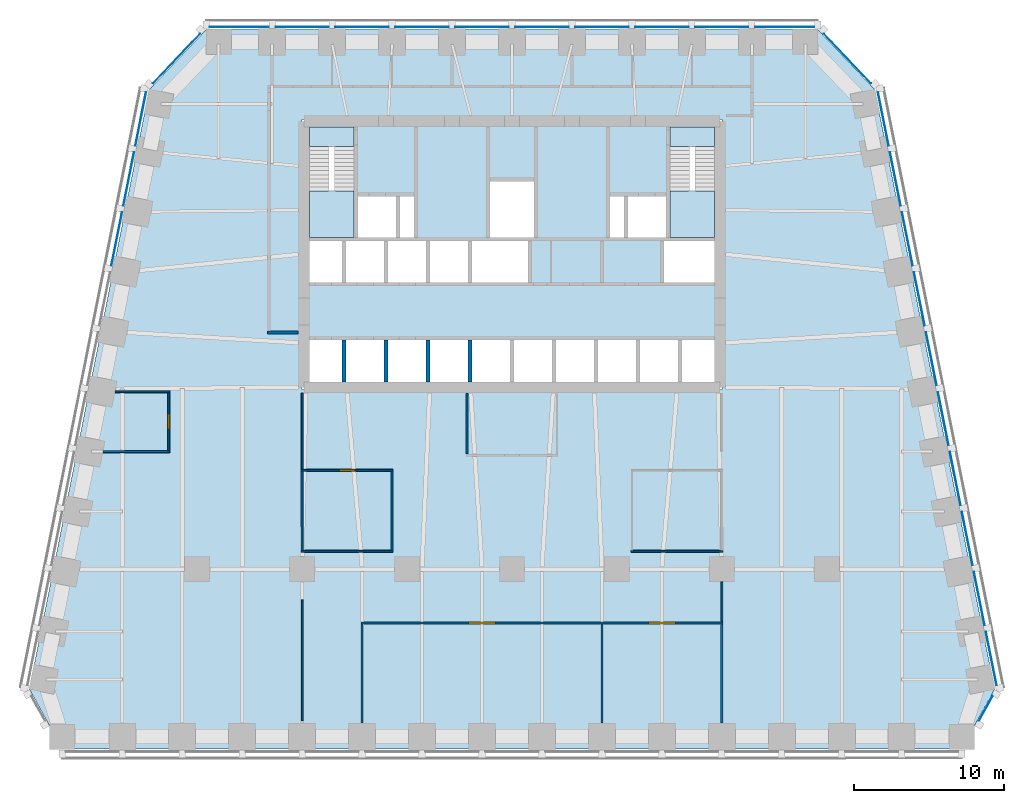
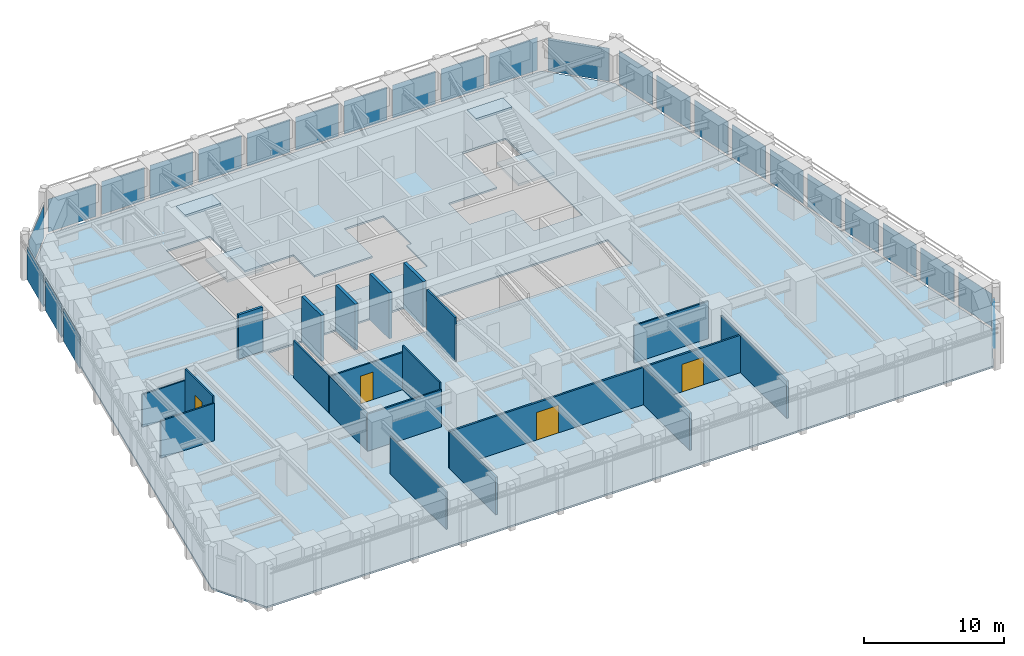
# One storey, part 5 of 9: 26 plates, 21 walls, 5 slabs, 4 doors, 4 openings, 8 elements without a shape of their own.
"""IFC4 building model written with IfcOpenShell, lengths in metres."""

import ifcopenshell
import ifcopenshell.guid

model = None  # the IFC model being written
_history = None  # IfcOwnerHistory: only IFC2X3 demands one
_inside = {}  # id of a spatial element -> (the spatial element, [elements in it])
_under = {}  # id of a project, library or spatial element -> (it, [spatial elements below it])
_declared = {}  # id of a project -> (the project, [libraries it declares])
_typed = {}  # id of a type object -> (the type object, [elements of that type])
_made_of = {}  # id of a material, layer set ... -> (it, [elements and type objects made of it])


def new_model(schema):
    """Start an empty IFC model of exactly this schema.

    Asked for "IFC4X3", IfcOpenShell would pick the latest addendum, in which some entities
    have other attributes; the version numbers below select the first issue.
    IFC2X3 requires an IfcOwnerHistory on every rooted entity: one is made here for all.
    """
    global model, _history
    if schema == "IFC4X3":
        model = ifcopenshell.file(schema_version=(4, 3, 0, 0))
    else:
        model = ifcopenshell.file(schema=schema)
    _inside.clear()
    _under.clear()
    _declared.clear()
    _typed.clear()
    _made_of.clear()
    _history = None
    if model.schema == "IFC2X3":
        org = make("IfcOrganization", Name="unknown")
        user = make(
            "IfcPersonAndOrganization",
            ThePerson=make("IfcPerson", FamilyName="unknown"),
            TheOrganization=org,
        )
        app = make(
            "IfcApplication",
            ApplicationDeveloper=org,
            Version="unknown",
            ApplicationFullName="unknown",
            ApplicationIdentifier="unknown",
        )
        _history = make(
            "IfcOwnerHistory",
            OwningUser=user,
            OwningApplication=app,
            ChangeAction="ADDED",
            CreationDate=0,
        )
    return model


def make(cls, **values):
    """One entity of the class cls with the attributes given. An attribute that is None is left unset."""
    return model.create_entity(
        cls, **{name: value for name, value in values.items() if value is not None}
    )


def rooted(cls, **values):
    """An entity with a GlobalId (a new one), such as an element, a storey or a relation."""
    return make(cls, GlobalId=ifcopenshell.guid.new(), OwnerHistory=_history, **values)


def si_unit(unit_type, name, prefix=None):
    """IfcSIUnit, for example si_unit("LENGTHUNIT", "METRE", prefix="MILLI")."""
    return make("IfcSIUnit", UnitType=unit_type, Prefix=prefix, Name=name)


def assignment(units):
    """IfcUnitAssignment: the units of a project."""
    return None if units is None else make("IfcUnitAssignment", Units=units)


def point(xyz):
    """IfcCartesianPoint."""
    return None if xyz is None else make("IfcCartesianPoint", Coordinates=xyz)


def direction(xyz):
    """IfcDirection."""
    return None if xyz is None else make("IfcDirection", DirectionRatios=xyz)


def frame(location, z_axis=None, x_axis=None):
    """IfcAxis2Placement3D, a coordinate frame: its origin and axes. An axis left out is left unset."""
    return make(
        "IfcAxis2Placement3D",
        Location=point(location),
        Axis=direction(z_axis),
        RefDirection=direction(x_axis),
    )


def frame_2d(location, x_axis=None):
    """IfcAxis2Placement2D, a coordinate frame in the plane: its origin and x axis."""
    return make(
        "IfcAxis2Placement2D", Location=point(location), RefDirection=direction(x_axis)
    )


def origin():
    """The frame at (0, 0, 0) with its axes left unset."""
    return frame((0.0, 0.0, 0.0))


def origin_2d():
    """The frame at (0, 0) in the plane with its x axis left unset."""
    return frame_2d((0.0, 0.0))


def place(relative_to, where):
    """IfcLocalPlacement: puts the frame where relative to a parent placement (None: the world)."""
    return make(
        "IfcLocalPlacement", PlacementRelTo=relative_to, RelativePlacement=where
    )


def context(
    kind, dimensions, precision=None, world=None, true_north=None, identifier=None
):
    """IfcGeometricRepresentationContext, for example the 3D "Model" context."""
    return make(
        "IfcGeometricRepresentationContext",
        ContextIdentifier=identifier,
        ContextType=kind,
        CoordinateSpaceDimension=dimensions,
        Precision=precision,
        WorldCoordinateSystem=world,
        TrueNorth=true_north,
    )


def subcontext(parent, identifier, kind, view, scale=None):
    """IfcGeometricRepresentationSubContext, for example "Body" below "Model"."""
    return make(
        "IfcGeometricRepresentationSubContext",
        ContextIdentifier=identifier,
        ContextType=kind,
        ParentContext=parent,
        TargetScale=scale,
        TargetView=view,
    )


def project(units=None, contexts=None):
    """IfcProject with its units and contexts."""
    return rooted(
        "IfcProject",
        Name="project",
        RepresentationContexts=contexts,
        UnitsInContext=assignment(units),
    )


def spatial(cls, under=None, at=None, **own):
    """A site, building, storey or space (cls), placed at a placement, below another one or the project."""
    s = rooted(cls, ObjectPlacement=at, **own)
    if under is not None:
        _under.setdefault(under.id(), (under, []))[1].append(s)
    return s


def polyline(points):
    """IfcPolyline through the points."""
    return make("IfcPolyline", Points=[point(p) for p in points])


def profile(cls, at=None, kind="AREA", **sizes):
    """A parametric profile (cls). Its sizes go by their IFC names, for example OverallWidth=200.0."""
    return make(cls, ProfileType=kind, Position=at, **sizes)


def rectangle(**sizes):
    """IfcRectangleProfileDef."""
    return profile("IfcRectangleProfileDef", **sizes)


def outline(outer, holes=None, kind="AREA"):
    """IfcArbitraryClosedProfileDef: a profile drawn as a closed curve; with holes, ...WithVoids."""
    if holes is None:
        return make("IfcArbitraryClosedProfileDef", ProfileType=kind, OuterCurve=outer)
    return make(
        "IfcArbitraryProfileDefWithVoids",
        ProfileType=kind,
        OuterCurve=outer,
        InnerCurves=holes,
    )


def extrude(swept, where, along, depth):
    """IfcExtrudedAreaSolid: the profile swept, set in the frame where, extruded along a direction by depth."""
    return make(
        "IfcExtrudedAreaSolid",
        SweptArea=swept,
        Position=where,
        ExtrudedDirection=direction(along),
        Depth=depth,
    )


def shape(context_of_items, identifier, shape_type, items):
    """IfcShapeRepresentation: the items that make up one representation, for example the "Body"."""
    return make(
        "IfcShapeRepresentation",
        ContextOfItems=context_of_items,
        RepresentationIdentifier=identifier,
        RepresentationType=shape_type,
        Items=items,
    )


def material(Name=None, Category=None):
    """IfcMaterial."""
    return make("IfcMaterial", Name=Name, Category=Category)


def layer(
    of_material, thickness, ventilated=None, Name=None, Category=None, Priority=None
):
    """IfcMaterialLayer: one layer of a wall or slab, of a material (None: an air gap)."""
    return make(
        "IfcMaterialLayer",
        Material=of_material,
        LayerThickness=thickness,
        IsVentilated=ventilated,
        Name=Name,
        Category=Category,
        Priority=Priority,
    )


def layer_set(layers, Name=None):
    """IfcMaterialLayerSet."""
    return make("IfcMaterialLayerSet", MaterialLayers=layers, LayerSetName=Name)


def made_of(thing, what):
    """Note that an element or type object is made of a material, layer set ...; save() writes the relation."""
    if what is not None:
        _made_of.setdefault(what.id(), (what, []))[1].append(thing)
    return thing


def type_object(cls, material=None, **own):
    """A type object (cls), such as IfcWallType, which elements share."""
    return made_of(rooted(cls, **own), material)


def element(
    cls,
    number,
    at=None,
    inside=None,
    cuts=None,
    type_object=None,
    material=None,
    context=None,
    identifier="Body",
    shape_type=None,
    held_by="IfcProductDefinitionShape",
    body=None,
    shapes=None,
    **own,
):
    """One element of the class cls, such as IfcWall. Its Tag is "e" and its number.

    at: its placement. inside: the storey or other place that contains it. cuts: it is an
    opening in that element (IfcRelVoidsElement). A single representation is given by context,
    identifier, shape_type and body (its items); several are given by shapes. held_by: the class
    of the entity that holds the representations. save() writes the other relations.
    """
    e = rooted(cls, Tag="e%d" % number, ObjectPlacement=at, **own)
    if body is not None:
        shapes = [shape(context, identifier, shape_type, body)]
    if shapes is not None:
        e.Representation = make(held_by, Representations=shapes)
    if inside is not None:
        _inside.setdefault(inside.id(), (inside, []))[1].append(e)
    if cuts is not None:
        rooted(
            "IfcRelVoidsElement", RelatingBuildingElement=cuts, RelatedOpeningElement=e
        )
    if type_object is not None:
        _typed.setdefault(type_object.id(), (type_object, []))[1].append(e)
    return made_of(e, material)


def fill(opening, filler):
    """IfcRelFillsElement: the door or window that sits in an opening."""
    return rooted(
        "IfcRelFillsElement",
        RelatingOpeningElement=opening,
        RelatedBuildingElement=filler,
    )


def aggregate(whole, parts):
    """IfcRelAggregates: a whole, such as a stair, and the parts it consists of."""
    return rooted("IfcRelAggregates", RelatingObject=whole, RelatedObjects=parts)


def save(model, path):
    """Write the relations noted so far, then the file.

    IfcRelAggregates (storeys below a building ...), IfcRelContainedInSpatialStructure (elements
    in a storey), IfcRelDefinesByType, IfcRelAssociatesMaterial and IfcRelDeclares: one each for
    every whole, place, type object, material and project.
    """
    for whole, parts in _under.values():
        aggregate(whole, parts)
    for where, things in _inside.values():
        rooted(
            "IfcRelContainedInSpatialStructure",
            RelatedElements=things,
            RelatingStructure=where,
        )
    for kind, things in _typed.values():
        rooted("IfcRelDefinesByType", RelatedObjects=things, RelatingType=kind)
    for what, things in _made_of.values():
        rooted("IfcRelAssociatesMaterial", RelatedObjects=things, RelatingMaterial=what)
    for by, libraries in _declared.values():
        rooted("IfcRelDeclares", RelatingContext=by, RelatedDefinitions=libraries)
    model.write(path)


model = new_model("IFC4")

# Units and contexts
model_context = context("Model", 3, precision=1e-05, world=origin(), true_north=direction((0.0, 1.0)))
body_context = subcontext(model_context, "Body", "Model", "MODEL_VIEW")
ifc_project = project(units=[si_unit("LENGTHUNIT", "METRE"), si_unit("AREAUNIT", "SQUARE_METRE"), si_unit("VOLUMEUNIT", "CUBIC_METRE"), si_unit("PLANEANGLEUNIT", "RADIAN"), si_unit("MASSUNIT", "GRAM", prefix="KILO")], contexts=[model_context])

# Site, building, storey
site_placement = place(None, origin())
site = spatial("IfcSite", under=ifc_project, at=site_placement, CompositionType="ELEMENT")
building_placement = place(site_placement, origin())
building = spatial("IfcBuilding", under=site, at=building_placement, Name="Isbrekke Arena Tower", CompositionType="ELEMENT")
storey_placement = place(building_placement, frame((0.0, 0.0, 131.0)))
storey = spatial("IfcBuildingStorey", under=building, at=storey_placement, Name="L29", CompositionType="ELEMENT", Elevation=131.0)

# Curtain wall, plate
ifc_material_1 = material(Name="Glazed aluminium curtain wall", Category="aluminium")
curtain_wall_type = type_object("IfcCurtainWallType", Name="CWM TOWER CURTAIN WALL MID ZONE", PredefinedType="USERDEFINED", material=ifc_material_1)
curtain_wall_1_placement = place(storey_placement, origin())
curtain_wall_1 = element("IfcCurtainWall", 1, at=curtain_wall_1_placement, inside=storey, type_object=curtain_wall_type, Name="CWM curtain wall L29-SE", ObjectType="TOWER CURTAIN WALL MID ZONE", PredefinedType="USERDEFINED")
ifc_material_2 = material(Name="Triple-glazed clear glass unit", Category="glass")
ifc_layer_1 = layer(ifc_material_2, 0.031982421875)
ifc_layer_set_1 = layer_set([ifc_layer_1], Name="CWM-P VISION PANEL")
plate_type = type_object("IfcPlateType", Name="CWM-P VISION PANEL", PredefinedType="CURTAIN_PANEL", material=ifc_layer_set_1)
plate_1_placement = place(storey_placement, frame((31.604248046875, -15.29052734375, 0.02001953125), z_axis=(0.0, 0.0, 1.0), x_axis=(0.481918749773, 0.876215908676, 0.0)))
plate_1 = element("IfcPlate", 2, at=plate_1_placement, type_object=plate_type, Name="CWM-P panel 1", PredefinedType="CURTAIN_PANEL", context=body_context, shape_type="SweptSolid", body=[
    extrude(rectangle(XDim=1.876220703125, YDim=0.031982421875, at=origin_2d()), origin(), (0.0, 0.0, 1.0), 2.8798828125),
])
aggregate(curtain_wall_1, [plate_1])

# Curtain wall, plates
curtain_wall_2_placement = place(storey_placement, origin())
curtain_wall_2 = element("IfcCurtainWall", 3, at=curtain_wall_2_placement, inside=storey, type_object=curtain_wall_type, Name="CWM curtain wall L29-E", ObjectType="TOWER CURTAIN WALL MID ZONE", PredefinedType="USERDEFINED")
plate_2_placement = place(storey_placement, frame((31.9716796875, -11.965576171875, 0.02001953125), z_axis=(0.0, 0.0, 1.0), x_axis=(-0.196116135138, 0.980580675691, 0.0)))
plate_2 = element("IfcPlate", 4, at=plate_2_placement, type_object=plate_type, Name="CWM-P panel 1", PredefinedType="CURTAIN_PANEL", context=body_context, shape_type="SweptSolid", body=[
    extrude(rectangle(XDim=3.629150390625, YDim=0.031982421875, at=origin_2d()), origin(), (0.0, 0.0, 1.0), 2.8798828125),
])
plate_3_placement = place(storey_placement, frame((31.171630859375, -7.965576171875, 0.02001953125), z_axis=(0.0, 0.0, 1.0), x_axis=(-0.196116135138, 0.980580675691, 0.0)))
plate_3 = element("IfcPlate", 5, at=plate_3_placement, type_object=plate_type, Name="CWM-P panel 2", PredefinedType="CURTAIN_PANEL", context=body_context, shape_type="SweptSolid", body=[
    extrude(rectangle(XDim=3.629150390625, YDim=0.031982421875, at=origin_2d()), origin(), (0.0, 0.0, 1.0), 2.8798828125),
])
plate_4_placement = place(storey_placement, frame((30.37158203125, -3.965576171875, 0.02001953125), z_axis=(0.0, 0.0, 1.0), x_axis=(-0.196116135138, 0.980580675691, 0.0)))
plate_4 = element("IfcPlate", 6, at=plate_4_placement, type_object=plate_type, Name="CWM-P panel 3", PredefinedType="CURTAIN_PANEL", context=body_context, shape_type="SweptSolid", body=[
    extrude(rectangle(XDim=3.629150390625, YDim=0.031982421875, at=origin_2d()), origin(), (0.0, 0.0, 1.0), 2.8798828125),
])
plate_5_placement = place(storey_placement, frame((29.571533203125, 0.034423828125, 0.02001953125), z_axis=(0.0, 0.0, 1.0), x_axis=(-0.196116135138, 0.980580675691, 0.0)))
plate_5 = element("IfcPlate", 7, at=plate_5_placement, type_object=plate_type, Name="CWM-P panel 4", PredefinedType="CURTAIN_PANEL", context=body_context, shape_type="SweptSolid", body=[
    extrude(rectangle(XDim=3.629150390625, YDim=0.031982421875, at=origin_2d()), origin(), (0.0, 0.0, 1.0), 2.8798828125),
])
plate_6_placement = place(storey_placement, frame((28.771484375, 4.034423828125, 0.02001953125), z_axis=(0.0, 0.0, 1.0), x_axis=(-0.196116135138, 0.980580675691, 0.0)))
plate_6 = element("IfcPlate", 8, at=plate_6_placement, type_object=plate_type, Name="CWM-P panel 5", PredefinedType="CURTAIN_PANEL", context=body_context, shape_type="SweptSolid", body=[
    extrude(rectangle(XDim=3.629150390625, YDim=0.031982421875, at=origin_2d()), origin(), (0.0, 0.0, 1.0), 2.8798828125),
])
plate_7_placement = place(storey_placement, frame((27.9716796875, 8.034423828125, 0.02001953125), z_axis=(0.0, 0.0, 1.0), x_axis=(-0.196116135138, 0.980580675691, 0.0)))
plate_7 = element("IfcPlate", 9, at=plate_7_placement, type_object=plate_type, Name="CWM-P panel 6", PredefinedType="CURTAIN_PANEL", context=body_context, shape_type="SweptSolid", body=[
    extrude(rectangle(XDim=3.629150390625, YDim=0.031982421875, at=origin_2d()), origin(), (0.0, 0.0, 1.0), 2.8798828125),
])
plate_8_placement = place(storey_placement, frame((27.171630859375, 12.034423828125, 0.02001953125), z_axis=(0.0, 0.0, 1.0), x_axis=(-0.196116135138, 0.980580675691, 0.0)))
plate_8 = element("IfcPlate", 10, at=plate_8_placement, type_object=plate_type, Name="CWM-P panel 7", PredefinedType="CURTAIN_PANEL", context=body_context, shape_type="SweptSolid", body=[
    extrude(rectangle(XDim=3.629150390625, YDim=0.031982421875, at=origin_2d()), origin(), (0.0, 0.0, 1.0), 2.8798828125),
])
plate_9_placement = place(storey_placement, frame((26.37158203125, 16.034423828125, 0.02001953125), z_axis=(0.0, 0.0, 1.0), x_axis=(-0.196116135138, 0.980580675691, 0.0)))
plate_9 = element("IfcPlate", 11, at=plate_9_placement, type_object=plate_type, Name="CWM-P panel 8", PredefinedType="CURTAIN_PANEL", context=body_context, shape_type="SweptSolid", body=[
    extrude(rectangle(XDim=3.629150390625, YDim=0.031982421875, at=origin_2d()), origin(), (0.0, 0.0, 1.0), 2.8798828125),
])
plate_10_placement = place(storey_placement, frame((25.571533203125, 20.034423828125, 0.02001953125), z_axis=(0.0, 0.0, 1.0), x_axis=(-0.196116135138, 0.980580675691, 0.0)))
plate_10 = element("IfcPlate", 12, at=plate_10_placement, type_object=plate_type, Name="CWM-P panel 9", PredefinedType="CURTAIN_PANEL", context=body_context, shape_type="SweptSolid", body=[
    extrude(rectangle(XDim=3.629150390625, YDim=0.031982421875, at=origin_2d()), origin(), (0.0, 0.0, 1.0), 2.8798828125),
])
plate_11_placement = place(storey_placement, frame((24.771484375, 24.034423828125, 0.02001953125), z_axis=(0.0, 0.0, 1.0), x_axis=(-0.196116135138, 0.980580675691, 0.0)))
plate_11 = element("IfcPlate", 13, at=plate_11_placement, type_object=plate_type, Name="CWM-P panel 10", PredefinedType="CURTAIN_PANEL", context=body_context, shape_type="SweptSolid", body=[
    extrude(rectangle(XDim=3.629150390625, YDim=0.031982421875, at=origin_2d()), origin(), (0.0, 0.0, 1.0), 2.8798828125),
])
aggregate(curtain_wall_2, [plate_2, plate_3, plate_4, plate_5, plate_6, plate_7, plate_8, plate_9, plate_10, plate_11])

# Curtain wall, plate
curtain_wall_3_placement = place(storey_placement, origin())
curtain_wall_3 = element("IfcCurtainWall", 14, at=curtain_wall_3_placement, inside=storey, type_object=curtain_wall_type, Name="CWM curtain wall L29-EN", ObjectType="TOWER CURTAIN WALL MID ZONE", PredefinedType="USERDEFINED")
plate_12_placement = place(storey_placement, frame((22.374755859375, 28.06640625, 0.02001953125), z_axis=(0.0, 0.0, 1.0), x_axis=(-0.68874946192, 0.72499943359, 0.0)))
plate_12 = element("IfcPlate", 15, at=plate_12_placement, type_object=plate_type, Name="CWM-P panel 1", PredefinedType="CURTAIN_PANEL", context=body_context, shape_type="SweptSolid", body=[
    extrude(rectangle(XDim=4.558349609375, YDim=0.031982421875, at=origin_2d()), origin(), (0.0, 0.0, 1.0), 2.8798828125),
])
aggregate(curtain_wall_3, [plate_12])

# Curtain wall, plates
curtain_wall_4_placement = place(storey_placement, origin())
curtain_wall_4 = element("IfcCurtainWall", 16, at=curtain_wall_4_placement, inside=storey, type_object=curtain_wall_type, Name="CWM curtain wall L29-N", ObjectType="TOWER CURTAIN WALL MID ZONE", PredefinedType="USERDEFINED")
plate_13_placement = place(storey_placement, frame((18.199951171875, 30.175048828125, 0.02001953125), z_axis=(0.0, 0.0, 1.0), x_axis=(-1.0, 0.0, 0.0)))
plate_13 = element("IfcPlate", 17, at=plate_13_placement, type_object=plate_type, Name="CWM-P panel 1", PredefinedType="CURTAIN_PANEL", context=body_context, shape_type="SweptSolid", body=[
    extrude(rectangle(XDim=3.949951171875, YDim=0.031982421875, at=origin_2d()), origin(), (0.0, 0.0, 1.0), 2.8798828125),
])
plate_14_placement = place(storey_placement, frame((14.0, 30.175048828125, 0.02001953125), z_axis=(0.0, 0.0, 1.0), x_axis=(-1.0, 0.0, 0.0)))
plate_14 = element("IfcPlate", 18, at=plate_14_placement, type_object=plate_type, Name="CWM-P panel 2", PredefinedType="CURTAIN_PANEL", context=body_context, shape_type="SweptSolid", body=[
    extrude(rectangle(XDim=3.550048828125, YDim=0.031982421875, at=origin_2d()), origin(), (0.0, 0.0, 1.0), 2.8798828125),
])
plate_15_placement = place(storey_placement, frame((10.0, 30.175048828125, 0.02001953125), z_axis=(0.0, 0.0, 1.0), x_axis=(-1.0, 0.0, 0.0)))
plate_15 = element("IfcPlate", 19, at=plate_15_placement, type_object=plate_type, Name="CWM-P panel 3", PredefinedType="CURTAIN_PANEL", context=body_context, shape_type="SweptSolid", body=[
    extrude(rectangle(XDim=3.550048828125, YDim=0.031982421875, at=origin_2d()), origin(), (0.0, 0.0, 1.0), 2.8798828125),
])
plate_16_placement = place(storey_placement, frame((6.0, 30.175048828125, 0.02001953125), z_axis=(0.0, 0.0, 1.0), x_axis=(-1.0, 0.0, 0.0)))
plate_16 = element("IfcPlate", 20, at=plate_16_placement, type_object=plate_type, Name="CWM-P panel 4", PredefinedType="CURTAIN_PANEL", context=body_context, shape_type="SweptSolid", body=[
    extrude(rectangle(XDim=3.550048828125, YDim=0.031982421875, at=origin_2d()), origin(), (0.0, 0.0, 1.0), 2.8798828125),
])
plate_17_placement = place(storey_placement, frame((2.0, 30.175048828125, 0.02001953125), z_axis=(0.0, 0.0, 1.0), x_axis=(-1.0, 0.0, 0.0)))
plate_17 = element("IfcPlate", 21, at=plate_17_placement, type_object=plate_type, Name="CWM-P panel 5", PredefinedType="CURTAIN_PANEL", context=body_context, shape_type="SweptSolid", body=[
    extrude(rectangle(XDim=3.550048828125, YDim=0.031982421875, at=origin_2d()), origin(), (0.0, 0.0, 1.0), 2.8798828125),
])
plate_18_placement = place(storey_placement, frame((-2.0, 30.175048828125, 0.02001953125), z_axis=(0.0, 0.0, 1.0), x_axis=(-1.0, 0.0, 0.0)))
plate_18 = element("IfcPlate", 22, at=plate_18_placement, type_object=plate_type, Name="CWM-P panel 6", PredefinedType="CURTAIN_PANEL", context=body_context, shape_type="SweptSolid", body=[
    extrude(rectangle(XDim=3.550048828125, YDim=0.031982421875, at=origin_2d()), origin(), (0.0, 0.0, 1.0), 2.8798828125),
])
plate_19_placement = place(storey_placement, frame((-6.0, 30.175048828125, 0.02001953125), z_axis=(0.0, 0.0, 1.0), x_axis=(-1.0, 0.0, 0.0)))
plate_19 = element("IfcPlate", 23, at=plate_19_placement, type_object=plate_type, Name="CWM-P panel 7", PredefinedType="CURTAIN_PANEL", context=body_context, shape_type="SweptSolid", body=[
    extrude(rectangle(XDim=3.550048828125, YDim=0.031982421875, at=origin_2d()), origin(), (0.0, 0.0, 1.0), 2.8798828125),
])
plate_20_placement = place(storey_placement, frame((-10.0, 30.175048828125, 0.02001953125), z_axis=(0.0, 0.0, 1.0), x_axis=(-1.0, 0.0, 0.0)))
plate_20 = element("IfcPlate", 24, at=plate_20_placement, type_object=plate_type, Name="CWM-P panel 8", PredefinedType="CURTAIN_PANEL", context=body_context, shape_type="SweptSolid", body=[
    extrude(rectangle(XDim=3.550048828125, YDim=0.031982421875, at=origin_2d()), origin(), (0.0, 0.0, 1.0), 2.8798828125),
])
plate_21_placement = place(storey_placement, frame((-14.0, 30.175048828125, 0.02001953125), z_axis=(0.0, 0.0, 1.0), x_axis=(-1.0, 0.0, 0.0)))
plate_21 = element("IfcPlate", 25, at=plate_21_placement, type_object=plate_type, Name="CWM-P panel 9", PredefinedType="CURTAIN_PANEL", context=body_context, shape_type="SweptSolid", body=[
    extrude(rectangle(XDim=3.550048828125, YDim=0.031982421875, at=origin_2d()), origin(), (0.0, 0.0, 1.0), 2.8798828125),
])
plate_22_placement = place(storey_placement, frame((-18.199951171875, 30.175048828125, 0.02001953125), z_axis=(0.0, 0.0, 1.0), x_axis=(-1.0, 0.0, 0.0)))
plate_22 = element("IfcPlate", 26, at=plate_22_placement, type_object=plate_type, Name="CWM-P panel 10", PredefinedType="CURTAIN_PANEL", context=body_context, shape_type="SweptSolid", body=[
    extrude(rectangle(XDim=3.949951171875, YDim=0.031982421875, at=origin_2d()), origin(), (0.0, 0.0, 1.0), 2.8798828125),
])
aggregate(curtain_wall_4, [plate_13, plate_14, plate_15, plate_16, plate_17, plate_18, plate_19, plate_20, plate_21, plate_22])

# Curtain wall, plate
curtain_wall_5_placement = place(storey_placement, origin())
curtain_wall_5 = element("IfcCurtainWall", 27, at=curtain_wall_5_placement, inside=storey, type_object=curtain_wall_type, Name="CWM curtain wall L29-NW", ObjectType="TOWER CURTAIN WALL MID ZONE", PredefinedType="USERDEFINED")
plate_23_placement = place(storey_placement, frame((-22.37451171875, 28.066650390625, 0.02001953125), z_axis=(0.0, 0.0, 1.0), x_axis=(-0.68874946192, -0.72499943359, 0.0)))
plate_23 = element("IfcPlate", 28, at=plate_23_placement, type_object=plate_type, Name="CWM-P panel 1", PredefinedType="CURTAIN_PANEL", context=body_context, shape_type="SweptSolid", body=[
    extrude(rectangle(XDim=4.557373046875, YDim=0.031982421875, at=origin_2d()), origin(), (0.0, 0.0, 1.0), 2.8798828125),
])
aggregate(curtain_wall_5, [plate_23])

# Curtain wall, plates
curtain_wall_6_placement = place(storey_placement, origin())
curtain_wall_6 = element("IfcCurtainWall", 29, at=curtain_wall_6_placement, inside=storey, type_object=curtain_wall_type, Name="CWM curtain wall L29-W", ObjectType="TOWER CURTAIN WALL MID ZONE", PredefinedType="USERDEFINED")
plate_24_placement = place(storey_placement, frame((-24.771484375, 24.034423828125, 0.02001953125), z_axis=(0.0, 0.0, 1.0), x_axis=(-0.196116135138, -0.980580675691, 0.0)))
plate_24 = element("IfcPlate", 30, at=plate_24_placement, type_object=plate_type, Name="CWM-P panel 1", PredefinedType="CURTAIN_PANEL", context=body_context, shape_type="SweptSolid", body=[
    extrude(rectangle(XDim=3.629150390625, YDim=0.031982421875, at=origin_2d()), origin(), (0.0, 0.0, 1.0), 2.8798828125),
])
plate_25_placement = place(storey_placement, frame((-25.571533203125, 20.034423828125, 0.02001953125), z_axis=(0.0, 0.0, 1.0), x_axis=(-0.196116135138, -0.980580675691, 0.0)))
plate_25 = element("IfcPlate", 31, at=plate_25_placement, type_object=plate_type, Name="CWM-P panel 2", PredefinedType="CURTAIN_PANEL", context=body_context, shape_type="SweptSolid", body=[
    extrude(rectangle(XDim=3.629150390625, YDim=0.031982421875, at=origin_2d()), origin(), (0.0, 0.0, 1.0), 2.8798828125),
])
plate_26_placement = place(storey_placement, frame((-26.37158203125, 16.034423828125, 0.02001953125), z_axis=(0.0, 0.0, 1.0), x_axis=(-0.196116135138, -0.980580675691, 0.0)))
plate_26 = element("IfcPlate", 32, at=plate_26_placement, type_object=plate_type, Name="CWM-P panel 3", PredefinedType="CURTAIN_PANEL", context=body_context, shape_type="SweptSolid", body=[
    extrude(rectangle(XDim=3.629150390625, YDim=0.031982421875, at=origin_2d()), origin(), (0.0, 0.0, 1.0), 2.8798828125),
])
aggregate(curtain_wall_6, [plate_24, plate_25, plate_26])

# Slab
ifc_material_3 = material(Name="Concrete B35 (C35/45)", Category="concrete")
ifc_layer_2 = layer(ifc_material_3, 0.14990234375)
ifc_layer_set_2 = layer_set([ifc_layer_2], Name="FS1 COMPOSITE FLOOR 150")
slab_type_1 = type_object("IfcSlabType", Name="FS1 COMPOSITE FLOOR 150", PredefinedType="FLOOR", material=ifc_layer_set_2)
slab_1_placement = place(storey_placement, frame((0.0, 0.0, -0.14990234375)))
element("IfcSlab", 33, at=slab_1_placement, inside=storey, type_object=slab_type_1, Name="FS1 floor slab L29", PredefinedType="FLOOR", context=body_context, shape_type="SweptSolid", body=[
    extrude(outline(polyline([(-30.0, -18.0), (30.0, -18.0), (32.199951171875, -14.0), (24.199951171875, 26.0), (20.39990234375, 30.0), (-20.39990234375, 30.0), (-24.199951171875, 26.0), (-32.199951171875, -14.0), (-30.0, -18.0)]), holes=[polyline([(14.0, 9.39990234375), (14.0, 6.0), (-14.0, 6.0), (-14.0, 9.39990234375), (14.0, 9.39990234375)]), polyline([(-6.39990234375, 19.0), (-6.39990234375, 16.0), (-1.60009765625, 16.0), (-1.60009765625, 20.0), (1.60009765625, 20.0), (1.60009765625, 16.0), (1.199951171875, 16.0), (1.199951171875, 13.0), (-14.0, 13.0), (-14.0, 24.0), (-10.39990234375, 24.0), (-10.39990234375, 19.0), (-6.39990234375, 19.0)]), polyline([(10.0, 13.0), (10.0, 16.0), (6.39990234375, 16.0), (6.39990234375, 19.0), (10.39990234375, 19.0), (10.39990234375, 24.0), (14.0, 24.0), (14.0, 13.0), (10.0, 13.0)])]), origin(), (0.0, 0.0, 1.0), 0.14990234375),
])

# Stair, slabs
ifc_material_4 = material(Name="Concrete B45 (C45/55) precast", Category="concrete")
stair_type = type_object("IfcStairType", Name="ST40 STAIR 1300 WIDE, 24 RISERS 167", PredefinedType="HALF_TURN_STAIR", material=ifc_material_4)
stair_1_placement = place(storey_placement, origin())
stair_1 = element("IfcStair", 34, at=stair_1_placement, inside=storey, type_object=stair_type, Name="ST1 stair L29", PredefinedType="HALF_TURN_STAIR")
ifc_material_5 = material(Name="Concrete B35 (C35/45)", Category="concrete")
ifc_layer_3 = layer(ifc_material_5, 0.199951171875)
ifc_layer_set_3 = layer_set([ifc_layer_3], Name="SL1 STAIR LANDING 200")
slab_type_2 = type_object("IfcSlabType", Name="SL1 STAIR LANDING 200", PredefinedType="LANDING", material=ifc_layer_set_3)
slab_2_placement = place(storey_placement, frame((0.0, 0.0, 1.800048828125)))
slab_2 = element("IfcSlab", 35, at=slab_2_placement, type_object=slab_type_2, Name="ST1 landing 1", PredefinedType="LANDING", context=body_context, shape_type="SweptSolid", body=[
    extrude(outline(polyline([(-13.5, 16.125), (-10.52490234375, 16.125), (-10.52490234375, 19.22998046875), (-13.5, 19.22998046875), (-13.5, 16.125)])), origin(), (0.0, 0.0, 1.0), 0.199951171875),
])
slab_3_placement = place(storey_placement, frame((0.0, 0.0, 3.800048828125)))
slab_3 = element("IfcSlab", 36, at=slab_3_placement, type_object=slab_type_2, Name="ST1 landing 2", PredefinedType="LANDING", context=body_context, shape_type="SweptSolid", body=[
    extrude(outline(polyline([(-13.5, 22.199951171875), (-10.52490234375, 22.199951171875), (-10.52490234375, 23.5), (-13.5, 23.5), (-13.5, 22.199951171875)])), origin(), (0.0, 0.0, 1.0), 0.199951171875),
])
aggregate(stair_1, [slab_2, slab_3])

stair_2_placement = place(storey_placement, origin())
stair_2 = element("IfcStair", 37, at=stair_2_placement, inside=storey, type_object=stair_type, Name="ST2 stair L29", PredefinedType="HALF_TURN_STAIR")
slab_4_placement = place(storey_placement, frame((0.0, 0.0, 1.800048828125)))
slab_4 = element("IfcSlab", 38, at=slab_4_placement, type_object=slab_type_2, Name="ST2 landing 1", PredefinedType="LANDING", context=body_context, shape_type="SweptSolid", body=[
    extrude(outline(polyline([(10.52490234375, 16.125), (13.5, 16.125), (13.5, 19.22998046875), (10.52490234375, 19.22998046875), (10.52490234375, 16.125)])), origin(), (0.0, 0.0, 1.0), 0.199951171875),
])
slab_5_placement = place(storey_placement, frame((0.0, 0.0, 3.800048828125)))
slab_5 = element("IfcSlab", 39, at=slab_5_placement, type_object=slab_type_2, Name="ST2 landing 2", PredefinedType="LANDING", context=body_context, shape_type="SweptSolid", body=[
    extrude(outline(polyline([(10.52490234375, 22.199951171875), (13.5, 22.199951171875), (13.5, 23.5), (10.52490234375, 23.5), (10.52490234375, 22.199951171875)])), origin(), (0.0, 0.0, 1.0), 0.199951171875),
])
aggregate(stair_2, [slab_4, slab_5])

# Walls
ifc_material_6 = material(Name="Concrete B45 (C45/55)", Category="concrete")
ifc_layer_4 = layer(ifc_material_6, 0.25)
ifc_layer_set_4 = layer_set([ifc_layer_4], Name="CW6 SHAFT WALL 250")
wall_type_1 = type_object("IfcWallType", Name="CW6 SHAFT WALL 250", PredefinedType="SHEAR", material=ifc_layer_set_4)
for number, where, z_axis, x_axis, name in (
    (40, (-11.199951171875, 6.5, 0.0), (0.0, 0.0, 1.0), (0.0, 1.0, 0.0), "Core wall SS01 L29"),
    (41, (-8.39990234375, 6.5, 0.0), (0.0, 0.0, 1.0), (0.0, 1.0, 0.0), "Core wall SS02 L29"),
    (42, (-5.60009765625, 6.5, 0.0), (0.0, 0.0, 1.0), (0.0, 1.0, 0.0), "Core wall SS03 L29"),
    (43, (-2.800048828125, 6.5, 0.0), (0.0, 0.0, 1.0), (0.0, 1.0, 0.0), "Core wall SS04 L29"),
):
    element("IfcWall", number, at=place(storey_placement, frame(where, z_axis=z_axis, x_axis=x_axis)), inside=storey, type_object=wall_type_1, Name=name, PredefinedType="SHEAR", context=body_context, shape_type="SweptSolid", body=[
        extrude(rectangle(XDim=2.77490234375, YDim=0.25, at=frame_2d((1.387451171875, 0.0))), origin(), (0.0, 0.0, 1.0), 4.0),
    ])

# Wall, openings, doors
ifc_material_7 = material(Name="Gypsum board partition on steel studs", Category="steel")
ifc_layer_5 = layer(ifc_material_7, 0.14990234375)
ifc_layer_set_5 = layer_set([ifc_layer_5], Name="IW1 PARTITION 150")
wall_type_2 = type_object("IfcWallType", Name="IW1 PARTITION 150", PredefinedType="PARTITIONING", material=ifc_layer_set_5)
wall_1_placement = place(storey_placement, frame((-10.074951171875, -9.60009765625, 0.0), z_axis=(0.0, 0.0, 1.0), x_axis=(1.0, 0.0, 0.0)))
wall_1 = element("IfcWall", 44, at=wall_1_placement, inside=storey, type_object=wall_type_2, Name="IW1 partition 150 L29", PredefinedType="PARTITIONING", context=body_context, shape_type="SweptSolid", body=[
    extrude(rectangle(XDim=24.14990234375, YDim=0.14990234375, at=frame_2d((12.074951171875, 0.0))), origin(), (0.0, 0.0, 1.0), 3.25),
])
opening_1_placement = place(wall_1_placement, frame((7.175048828125, 0.0, 0.0)))
opening_1 = element("IfcOpeningElement", 45, at=opening_1_placement, cuts=wall_1, Name="Opening D13", PredefinedType="OPENING", context=body_context, shape_type="SweptSolid", body=[
    extrude(rectangle(XDim=1.800048828125, YDim=2.39990234375, at=frame_2d((0.89990234375, 1.199951171875))), frame((0.0, 0.08984375, 0.0), z_axis=(0.0, -1.0, 0.0), x_axis=(1.0, 0.0, 0.0)), (0.0, 0.0, 1.0), 0.1796875),
])
opening_2_placement = place(wall_1_placement, frame((19.175048828125, 0.0, 0.0)))
opening_2 = element("IfcOpeningElement", 46, at=opening_2_placement, cuts=wall_1, Name="Opening D13", PredefinedType="OPENING", context=body_context, shape_type="SweptSolid", body=[
    extrude(rectangle(XDim=1.800048828125, YDim=2.39990234375, at=frame_2d((0.89990234375, 1.199951171875))), frame((0.0, 0.08984375, 0.0), z_axis=(0.0, -1.0, 0.0), x_axis=(1.0, 0.0, 0.0)), (0.0, 0.0, 1.0), 0.1796875),
])
ifc_material_8 = material(Name="Timber door pair", Category="wood")
door_type_1 = type_object("IfcDoorType", Name="D13 DOUBLE ROOM DOOR 1800 x 2400", OperationType="DOUBLE_DOOR_SINGLE_SWING", PredefinedType="DOOR", material=ifc_material_8)
door_1_placement = place(opening_1_placement, origin())
door_1 = element("IfcDoor", 47, at=door_1_placement, inside=storey, type_object=door_type_1, Name="D13 staff canteen door L29", OperationType="DOUBLE_DOOR_SINGLE_SWING", OverallHeight=2.39990234375, OverallWidth=1.800048828125, PredefinedType="DOOR", context=body_context, shape_type="SweptSolid", body=[
    extrude(rectangle(XDim=1.800048828125, YDim=2.39990234375, at=frame_2d((0.89990234375, 1.199951171875))), frame((0.0, 0.07470703125, 0.0), z_axis=(0.0, -1.0, 0.0), x_axis=(1.0, 0.0, 0.0)), (0.0, 0.0, 1.0), 0.1494140625),
])
fill(opening_1, door_1)
door_2_placement = place(opening_2_placement, origin())
door_2 = element("IfcDoor", 48, at=door_2_placement, inside=storey, type_object=door_type_1, Name="D13 kitchen door L29", OperationType="DOUBLE_DOOR_SINGLE_SWING", OverallHeight=2.39990234375, OverallWidth=1.800048828125, PredefinedType="DOOR", context=body_context, shape_type="SweptSolid", body=[
    extrude(rectangle(XDim=1.800048828125, YDim=2.39990234375, at=frame_2d((0.89990234375, 1.199951171875))), frame((0.0, 0.07470703125, 0.0), z_axis=(0.0, -1.0, 0.0), x_axis=(1.0, 0.0, 0.0)), (0.0, 0.0, 1.0), 0.1494140625),
])
fill(opening_2, door_2)

# Walls
wall_2_placement = place(storey_placement, frame((-10.0, -16.27490234375, 0.0), z_axis=(0.0, 0.0, 1.0), x_axis=(0.0, 1.0, 0.0)))
element("IfcWall", 49, at=wall_2_placement, inside=storey, type_object=wall_type_2, Name="IW1 partition 150 L29", PredefinedType="PARTITIONING", context=body_context, shape_type="SweptSolid", body=[
    extrude(rectangle(XDim=6.599853515625, YDim=0.14990234375, at=frame_2d((3.2998046875, 0.0))), origin(), (0.0, 0.0, 1.0), 3.25),
])
wall_3_placement = place(storey_placement, frame((-3.0, 1.675048828125, 0.0), z_axis=(0.0, 0.0, 1.0), x_axis=(0.0, 1.0, 0.0)))
element("IfcWall", 50, at=wall_3_placement, inside=storey, type_object=wall_type_2, Name="IW1 partition 150 L29", PredefinedType="PARTITIONING", context=body_context, shape_type="SweptSolid", body=[
    extrude(rectangle(XDim=4.044921875, YDim=0.14990234375, at=frame_2d((2.0224609375, 0.0))), origin(), (0.0, 0.0, 1.0), 3.85009765625),
])
for number, where, z_axis, x_axis, name in (
    (51, (6.0, -16.27490234375, 0.0), (0.0, 0.0, 1.0), (0.0, 1.0, 0.0), "IW1 partition 150 L29"),
    (52, (14.0, -16.27490234375, 0.0), (0.0, 0.0, 1.0), (0.0, 1.0, 0.0), "IW1 partition 150 L29"),
):
    element("IfcWall", number, at=place(storey_placement, frame(where, z_axis=z_axis, x_axis=x_axis)), inside=storey, type_object=wall_type_2, Name=name, PredefinedType="PARTITIONING", context=body_context, shape_type="SweptSolid", body=[
        extrude(rectangle(XDim=6.599853515625, YDim=0.14990234375, at=frame_2d((3.2998046875, 0.0))), origin(), (0.0, 0.0, 1.0), 3.25),
    ])
ifc_material_9 = material(Name="Frameless glazed partition, laminated acoustic glass", Category="glass")
ifc_layer_6 = layer(ifc_material_9, 0.1201171875)
ifc_layer_set_6 = layer_set([ifc_layer_6], Name="IW2 GLAZED PARTITION 120")
wall_type_3 = type_object("IfcWallType", Name="IW2 GLAZED PARTITION 120", PredefinedType="PARTITIONING", material=ifc_layer_set_6)
for number, where, z_axis, x_axis, name in (
    (53, (-14.06005859375, -4.800048828125, 0.0), (0.0, 0.0, 1.0), (1.0, 0.0, 0.0), "IW2 glazed partition 120 L29"),
    (54, (7.93994140625, -4.800048828125, 0.0), (0.0, 0.0, 1.0), (1.0, 0.0, 0.0), "IW2 glazed partition 120 L29"),
):
    element("IfcWall", number, at=place(storey_placement, frame(where, z_axis=z_axis, x_axis=x_axis)), inside=storey, type_object=wall_type_3, Name=name, PredefinedType="PARTITIONING", context=body_context, shape_type="SweptSolid", body=[
        extrude(rectangle(XDim=6.1201171875, YDim=0.1201171875, at=frame_2d((3.06005859375, 0.0))), origin(), (0.0, 0.0, 1.0), 3.25),
    ])

# Wall, opening, door
wall_4_placement = place(storey_placement, frame((-14.06005859375, 0.60009765625, 0.0), z_axis=(0.0, 0.0, 1.0), x_axis=(1.0, 0.0, 0.0)))
wall_4 = element("IfcWall", 55, at=wall_4_placement, inside=storey, type_object=wall_type_3, Name="IW2 glazed partition 120 L29", PredefinedType="PARTITIONING", context=body_context, shape_type="SweptSolid", body=[
    extrude(rectangle(XDim=6.1201171875, YDim=0.1201171875, at=frame_2d((3.06005859375, 0.0))), origin(), (0.0, 0.0, 1.0), 3.25),
])
opening_3_placement = place(wall_4_placement, frame((2.56005859375, 0.0, 0.0)))
opening_3 = element("IfcOpeningElement", 56, at=opening_3_placement, cuts=wall_4, Name="Opening D11", PredefinedType="OPENING", context=body_context, shape_type="SweptSolid", body=[
    extrude(rectangle(XDim=1.0, YDim=2.39990234375, at=frame_2d((0.5, 1.199951171875))), frame((0.0, 0.074951171875, 0.0), z_axis=(0.0, -1.0, 0.0), x_axis=(1.0, 0.0, 0.0)), (0.0, 0.0, 1.0), 0.14990234375),
])
ifc_material_10 = material(Name="Frameless glazed door", Category="glass")
door_type_2 = type_object("IfcDoorType", Name="D11 GLAZED MEETING ROOM DOOR 1000 x 2400", OperationType="SINGLE_SWING_RIGHT", PredefinedType="DOOR", material=ifc_material_10)
door_3_placement = place(opening_3_placement, origin())
door_3 = element("IfcDoor", 57, at=door_3_placement, inside=storey, type_object=door_type_2, Name="D11 meeting room door L29", OperationType="SINGLE_SWING_RIGHT", OverallHeight=2.39990234375, OverallWidth=1.0, PredefinedType="DOOR", context=body_context, shape_type="SweptSolid", body=[
    extrude(rectangle(XDim=1.0, YDim=2.39990234375, at=frame_2d((0.5, 1.199951171875))), frame((0.0, 0.059814453125, 0.0), z_axis=(0.0, -1.0, 0.0), x_axis=(1.0, 0.0, 0.0)), (0.0, 0.0, 1.0), 0.11962890625),
])
fill(opening_3, door_3)

# Walls
wall_5_placement = place(storey_placement, frame((-27.272705078125, 1.840087890625, 0.0), z_axis=(0.0, 0.0, 1.0), x_axis=(1.0, 0.0, 0.0)))
element("IfcWall", 58, at=wall_5_placement, inside=storey, type_object=wall_type_3, Name="IW2 glazed partition 120 L29", PredefinedType="PARTITIONING", context=body_context, shape_type="SweptSolid", body=[
    extrude(rectangle(XDim=4.4326171875, YDim=0.1201171875, at=frame_2d((2.21630859375, 0.0))), origin(), (0.0, 0.0, 1.0), 3.25),
])
wall_6_placement = place(storey_placement, frame((-26.472900390625, 5.840087890625, 0.0), z_axis=(0.0, 0.0, 1.0), x_axis=(1.0, 0.0, 0.0)))
element("IfcWall", 59, at=wall_6_placement, inside=storey, type_object=wall_type_3, Name="IW2 glazed partition 120 L29", PredefinedType="PARTITIONING", context=body_context, shape_type="SweptSolid", body=[
    extrude(rectangle(XDim=3.6328125, YDim=0.1201171875, at=frame_2d((1.81640625, 0.0))), origin(), (0.0, 0.0, 1.0), 2.842041015625),
])

# Wall, opening, door
wall_7_placement = place(storey_placement, frame((-22.89990234375, 1.89990234375, 0.0), z_axis=(0.0, 0.0, 1.0), x_axis=(0.0, 1.0, 0.0)))
wall_7 = element("IfcWall", 60, at=wall_7_placement, inside=storey, type_object=wall_type_3, Name="IW2 glazed partition 120 L29", PredefinedType="PARTITIONING", context=body_context, shape_type="SweptSolid", body=[
    extrude(rectangle(XDim=3.880126953125, YDim=0.1201171875, at=frame_2d((1.93994140625, 0.0))), origin(), (0.0, 0.0, 1.0), 3.85009765625),
])
opening_4_placement = place(wall_7_placement, frame((1.43994140625, 0.0, 0.0)))
opening_4 = element("IfcOpeningElement", 61, at=opening_4_placement, cuts=wall_7, Name="Opening D11", PredefinedType="OPENING", context=body_context, shape_type="SweptSolid", body=[
    extrude(rectangle(XDim=1.0, YDim=2.39990234375, at=frame_2d((0.5, 1.199951171875))), frame((0.0, 0.074951171875, 0.0), z_axis=(0.0, -1.0, 0.0), x_axis=(1.0, 0.0, 0.0)), (0.0, 0.0, 1.0), 0.14990234375),
])
door_4_placement = place(opening_4_placement, origin())
door_4 = element("IfcDoor", 62, at=door_4_placement, inside=storey, type_object=door_type_2, Name="D11 project room door L29", OperationType="SINGLE_SWING_RIGHT", OverallHeight=2.39990234375, OverallWidth=1.0, PredefinedType="DOOR", context=body_context, shape_type="SweptSolid", body=[
    extrude(rectangle(XDim=1.0, YDim=2.39990234375, at=frame_2d((0.5, 1.199951171875))), frame((0.0, 0.059814453125, 0.0), z_axis=(0.0, -1.0, 0.0), x_axis=(1.0, 0.0, 0.0)), (0.0, 0.0, 1.0), 0.11962890625),
])
fill(opening_4, door_4)

# Walls
wall_8_placement = place(storey_placement, frame((-14.0, -4.739990234375, 0.0), z_axis=(0.0, 0.0, 1.0), x_axis=(0.0, 1.0, 0.0)))
element("IfcWall", 63, at=wall_8_placement, inside=storey, type_object=wall_type_3, Name="IW2 glazed partition 120 L29", PredefinedType="PARTITIONING", context=body_context, shape_type="SweptSolid", body=[
    extrude(rectangle(XDim=5.280029296875, YDim=0.1201171875, at=frame_2d((2.64013671875, 0.0))), origin(), (0.0, 0.0, 1.0), 3.25),
])
wall_9_placement = place(storey_placement, frame((-8.0, -4.739990234375, 0.0), z_axis=(0.0, 0.0, 1.0), x_axis=(0.0, 1.0, 0.0)))
element("IfcWall", 64, at=wall_9_placement, inside=storey, type_object=wall_type_3, Name="IW2 glazed partition 120 L29", PredefinedType="PARTITIONING", context=body_context, shape_type="SweptSolid", body=[
    extrude(rectangle(XDim=5.280029296875, YDim=0.1201171875, at=frame_2d((2.64013671875, 0.0))), origin(), (0.0, 0.0, 1.0), 3.85009765625),
])
wall_10_placement = place(storey_placement, frame((-13.9990234375, -16.10009765625, 0.0), z_axis=(0.0, 0.0, 1.0), x_axis=(0.0, 1.0, 0.0)))
element("IfcWall", 65, at=wall_10_placement, inside=storey, type_object=wall_type_3, Name="IW2 glazed partition 120 L29", PredefinedType="PARTITIONING", context=body_context, shape_type="SweptSolid", body=[
    extrude(rectangle(XDim=8.050048828125, YDim=0.1201171875, at=frame_2d((4.02490234375, 0.0))), origin(), (0.0, 0.0, 1.0), 3.25),
])
wall_11_placement = place(storey_placement, frame((-13.9990234375, 0.679931640625, 0.0), z_axis=(0.0, 0.0, 1.0), x_axis=(0.0, 1.0, 0.0)))
element("IfcWall", 66, at=wall_11_placement, inside=storey, type_object=wall_type_3, Name="IW2 glazed partition 120 L29", PredefinedType="PARTITIONING", context=body_context, shape_type="SweptSolid", body=[
    extrude(rectangle(XDim=5.070068359375, YDim=0.1201171875, at=frame_2d((2.53515625, 0.0))), origin(), (0.0, 0.0, 1.0), 3.25),
])
wall_12_placement = place(storey_placement, frame((14.0, -9.5048828125, 0.0), z_axis=(0.0, 0.0, 1.0), x_axis=(0.0, 1.0, 0.0)))
element("IfcWall", 67, at=wall_12_placement, inside=storey, type_object=wall_type_3, Name="IW2 glazed partition 120 L29", PredefinedType="PARTITIONING", context=body_context, shape_type="SweptSolid", body=[
    extrude(rectangle(XDim=2.65478515625, YDim=0.1201171875, at=frame_2d((1.327392578125, 0.0))), origin(), (0.0, 0.0, 1.0), 3.25),
])
ifc_material_11 = material(Name="Gypsum board fire-cell wall on steel studs, two layers each side", Category="steel")
ifc_layer_7 = layer(ifc_material_11, 0.199951171875)
ifc_layer_set_7 = layer_set([ifc_layer_7], Name="IW3 FIRE-CELL WALL 200")
wall_type_4 = type_object("IfcWallType", Name="IW3 FIRE-CELL WALL 200", PredefinedType="PARTITIONING", material=ifc_layer_set_7)
wall_13_placement = place(storey_placement, frame((-16.300048828125, 9.800048828125, 0.0), z_axis=(0.0, 0.0, 1.0), x_axis=(1.0, 0.0, 0.0)))
element("IfcWall", 68, at=wall_13_placement, inside=storey, type_object=wall_type_4, Name="IW3 fire-cell wall 200 L29", PredefinedType="PARTITIONING", context=body_context, shape_type="SweptSolid", body=[
    extrude(rectangle(XDim=2.02001953125, YDim=0.199951171875, at=frame_2d((1.010009765625, 0.0))), origin(), (0.0, 0.0, 1.0), 3.85009765625),
])

save(model, "model.ifc")
